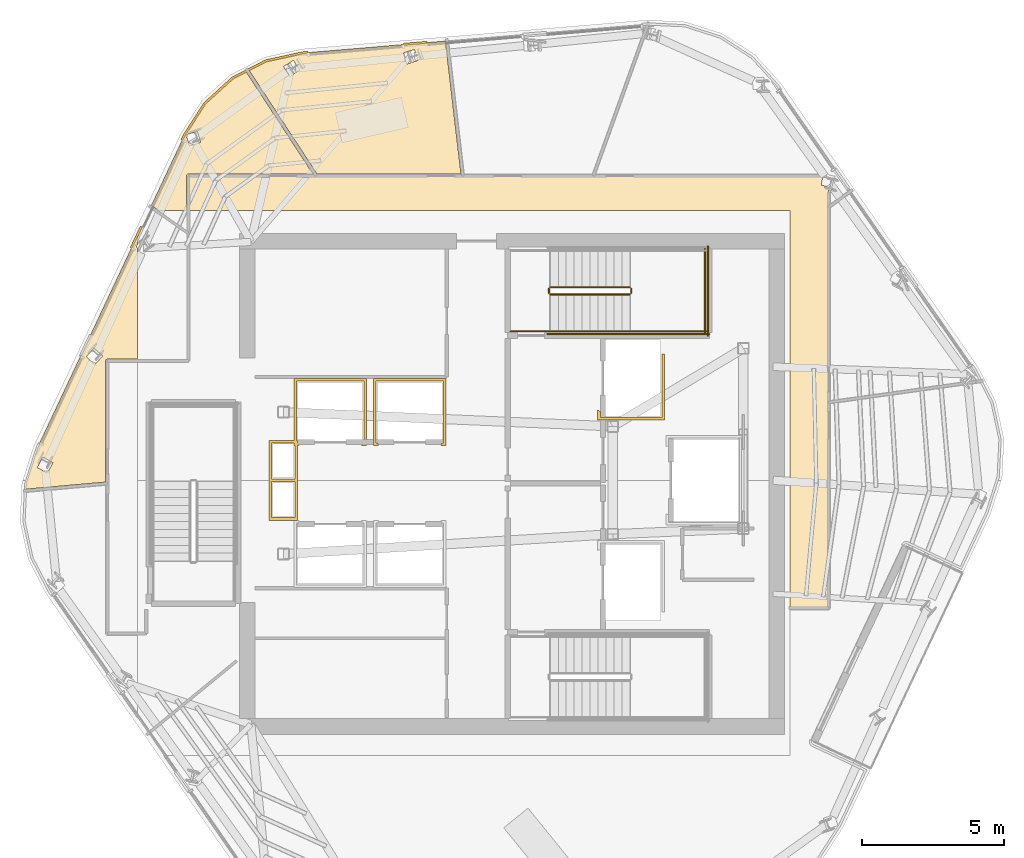
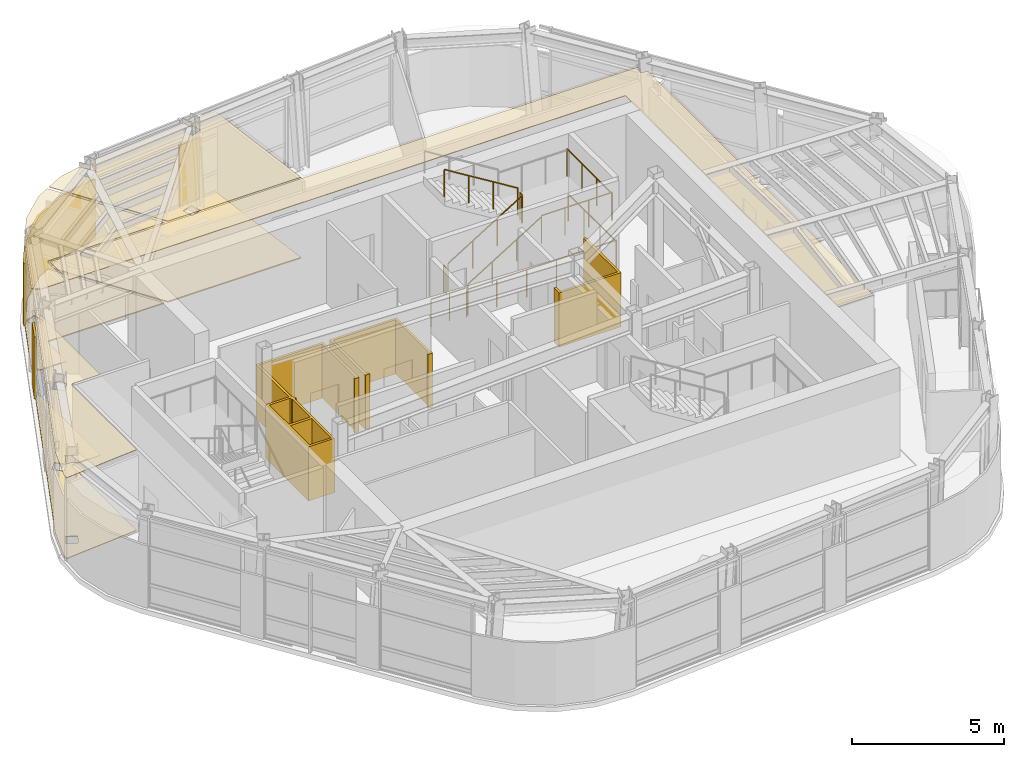
# One storey, part 12 of 14: 13 coverings, 10 railings.
"""IFC4 building model written with IfcOpenShell, lengths in metres."""

import ifcopenshell
import ifcopenshell.guid

model = None  # the IFC model being written
_history = None  # IfcOwnerHistory: only IFC2X3 demands one
_inside = {}  # id of a spatial element -> (the spatial element, [elements in it])
_under = {}  # id of a project, library or spatial element -> (it, [spatial elements below it])
_declared = {}  # id of a project -> (the project, [libraries it declares])
_typed = {}  # id of a type object -> (the type object, [elements of that type])
_made_of = {}  # id of a material, layer set ... -> (it, [elements and type objects made of it])


def new_model(schema):
    """Start an empty IFC model of exactly this schema.

    Asked for "IFC4X3", IfcOpenShell would pick the latest addendum, in which some entities
    have other attributes; the version numbers below select the first issue.
    IFC2X3 requires an IfcOwnerHistory on every rooted entity: one is made here for all.
    """
    global model, _history
    if schema == "IFC4X3":
        model = ifcopenshell.file(schema_version=(4, 3, 0, 0))
    else:
        model = ifcopenshell.file(schema=schema)
    _inside.clear()
    _under.clear()
    _declared.clear()
    _typed.clear()
    _made_of.clear()
    _history = None
    if model.schema == "IFC2X3":
        org = make("IfcOrganization", Name="unknown")
        user = make(
            "IfcPersonAndOrganization",
            ThePerson=make("IfcPerson", FamilyName="unknown"),
            TheOrganization=org,
        )
        app = make(
            "IfcApplication",
            ApplicationDeveloper=org,
            Version="unknown",
            ApplicationFullName="unknown",
            ApplicationIdentifier="unknown",
        )
        _history = make(
            "IfcOwnerHistory",
            OwningUser=user,
            OwningApplication=app,
            ChangeAction="ADDED",
            CreationDate=0,
        )
    return model


def make(cls, **values):
    """One entity of the class cls with the attributes given. An attribute that is None is left unset."""
    return model.create_entity(
        cls, **{name: value for name, value in values.items() if value is not None}
    )


def rooted(cls, **values):
    """An entity with a GlobalId (a new one), such as an element, a storey or a relation."""
    return make(cls, GlobalId=ifcopenshell.guid.new(), OwnerHistory=_history, **values)


def si_unit(unit_type, name, prefix=None):
    """IfcSIUnit, for example si_unit("LENGTHUNIT", "METRE", prefix="MILLI")."""
    return make("IfcSIUnit", UnitType=unit_type, Prefix=prefix, Name=name)


def assignment(units):
    """IfcUnitAssignment: the units of a project."""
    return None if units is None else make("IfcUnitAssignment", Units=units)


def point(xyz):
    """IfcCartesianPoint."""
    return None if xyz is None else make("IfcCartesianPoint", Coordinates=xyz)


def direction(xyz):
    """IfcDirection."""
    return None if xyz is None else make("IfcDirection", DirectionRatios=xyz)


def frame(location, z_axis=None, x_axis=None):
    """IfcAxis2Placement3D, a coordinate frame: its origin and axes. An axis left out is left unset."""
    return make(
        "IfcAxis2Placement3D",
        Location=point(location),
        Axis=direction(z_axis),
        RefDirection=direction(x_axis),
    )


def frame_2d(location, x_axis=None):
    """IfcAxis2Placement2D, a coordinate frame in the plane: its origin and x axis."""
    return make(
        "IfcAxis2Placement2D", Location=point(location), RefDirection=direction(x_axis)
    )


def origin():
    """The frame at (0, 0, 0) with its axes left unset."""
    return frame((0.0, 0.0, 0.0))


def origin_2d():
    """The frame at (0, 0) in the plane with its x axis left unset."""
    return frame_2d((0.0, 0.0))


def place(relative_to, where):
    """IfcLocalPlacement: puts the frame where relative to a parent placement (None: the world)."""
    return make(
        "IfcLocalPlacement", PlacementRelTo=relative_to, RelativePlacement=where
    )


def context(
    kind, dimensions, precision=None, world=None, true_north=None, identifier=None
):
    """IfcGeometricRepresentationContext, for example the 3D "Model" context."""
    return make(
        "IfcGeometricRepresentationContext",
        ContextIdentifier=identifier,
        ContextType=kind,
        CoordinateSpaceDimension=dimensions,
        Precision=precision,
        WorldCoordinateSystem=world,
        TrueNorth=true_north,
    )


def subcontext(parent, identifier, kind, view, scale=None):
    """IfcGeometricRepresentationSubContext, for example "Body" below "Model"."""
    return make(
        "IfcGeometricRepresentationSubContext",
        ContextIdentifier=identifier,
        ContextType=kind,
        ParentContext=parent,
        TargetScale=scale,
        TargetView=view,
    )


def project(units=None, contexts=None):
    """IfcProject with its units and contexts."""
    return rooted(
        "IfcProject",
        Name="project",
        RepresentationContexts=contexts,
        UnitsInContext=assignment(units),
    )


def spatial(cls, under=None, at=None, **own):
    """A site, building, storey or space (cls), placed at a placement, below another one or the project."""
    s = rooted(cls, ObjectPlacement=at, **own)
    if under is not None:
        _under.setdefault(under.id(), (under, []))[1].append(s)
    return s


def polyline(points):
    """IfcPolyline through the points."""
    return make("IfcPolyline", Points=[point(p) for p in points])


def profile(cls, at=None, kind="AREA", **sizes):
    """A parametric profile (cls). Its sizes go by their IFC names, for example OverallWidth=200.0."""
    return make(cls, ProfileType=kind, Position=at, **sizes)


def circle(**sizes):
    """IfcCircleProfileDef."""
    return profile("IfcCircleProfileDef", **sizes)


def outline(outer, holes=None, kind="AREA"):
    """IfcArbitraryClosedProfileDef: a profile drawn as a closed curve; with holes, ...WithVoids."""
    if holes is None:
        return make("IfcArbitraryClosedProfileDef", ProfileType=kind, OuterCurve=outer)
    return make(
        "IfcArbitraryProfileDefWithVoids",
        ProfileType=kind,
        OuterCurve=outer,
        InnerCurves=holes,
    )


def extrude(swept, where, along, depth):
    """IfcExtrudedAreaSolid: the profile swept, set in the frame where, extruded along a direction by depth."""
    return make(
        "IfcExtrudedAreaSolid",
        SweptArea=swept,
        Position=where,
        ExtrudedDirection=direction(along),
        Depth=depth,
    )


def shape(context_of_items, identifier, shape_type, items):
    """IfcShapeRepresentation: the items that make up one representation, for example the "Body"."""
    return make(
        "IfcShapeRepresentation",
        ContextOfItems=context_of_items,
        RepresentationIdentifier=identifier,
        RepresentationType=shape_type,
        Items=items,
    )


def material(Name=None, Category=None):
    """IfcMaterial."""
    return make("IfcMaterial", Name=Name, Category=Category)


def layer(
    of_material, thickness, ventilated=None, Name=None, Category=None, Priority=None
):
    """IfcMaterialLayer: one layer of a wall or slab, of a material (None: an air gap)."""
    return make(
        "IfcMaterialLayer",
        Material=of_material,
        LayerThickness=thickness,
        IsVentilated=ventilated,
        Name=Name,
        Category=Category,
        Priority=Priority,
    )


def layer_set(layers, Name=None):
    """IfcMaterialLayerSet."""
    return make("IfcMaterialLayerSet", MaterialLayers=layers, LayerSetName=Name)


def made_of(thing, what):
    """Note that an element or type object is made of a material, layer set ...; save() writes the relation."""
    if what is not None:
        _made_of.setdefault(what.id(), (what, []))[1].append(thing)
    return thing


def type_object(cls, material=None, **own):
    """A type object (cls), such as IfcWallType, which elements share."""
    return made_of(rooted(cls, **own), material)


def element(
    cls,
    number,
    at=None,
    inside=None,
    cuts=None,
    type_object=None,
    material=None,
    context=None,
    identifier="Body",
    shape_type=None,
    held_by="IfcProductDefinitionShape",
    body=None,
    shapes=None,
    **own,
):
    """One element of the class cls, such as IfcWall. Its Tag is "e" and its number.

    at: its placement. inside: the storey or other place that contains it. cuts: it is an
    opening in that element (IfcRelVoidsElement). A single representation is given by context,
    identifier, shape_type and body (its items); several are given by shapes. held_by: the class
    of the entity that holds the representations. save() writes the other relations.
    """
    e = rooted(cls, Tag="e%d" % number, ObjectPlacement=at, **own)
    if body is not None:
        shapes = [shape(context, identifier, shape_type, body)]
    if shapes is not None:
        e.Representation = make(held_by, Representations=shapes)
    if inside is not None:
        _inside.setdefault(inside.id(), (inside, []))[1].append(e)
    if cuts is not None:
        rooted(
            "IfcRelVoidsElement", RelatingBuildingElement=cuts, RelatedOpeningElement=e
        )
    if type_object is not None:
        _typed.setdefault(type_object.id(), (type_object, []))[1].append(e)
    return made_of(e, material)


def aggregate(whole, parts):
    """IfcRelAggregates: a whole, such as a stair, and the parts it consists of."""
    return rooted("IfcRelAggregates", RelatingObject=whole, RelatedObjects=parts)


def save(model, path):
    """Write the relations noted so far, then the file.

    IfcRelAggregates (storeys below a building ...), IfcRelContainedInSpatialStructure (elements
    in a storey), IfcRelDefinesByType, IfcRelAssociatesMaterial and IfcRelDeclares: one each for
    every whole, place, type object, material and project.
    """
    for whole, parts in _under.values():
        aggregate(whole, parts)
    for where, things in _inside.values():
        rooted(
            "IfcRelContainedInSpatialStructure",
            RelatedElements=things,
            RelatingStructure=where,
        )
    for kind, things in _typed.values():
        rooted("IfcRelDefinesByType", RelatedObjects=things, RelatingType=kind)
    for what, things in _made_of.values():
        rooted("IfcRelAssociatesMaterial", RelatedObjects=things, RelatingMaterial=what)
    for by, libraries in _declared.values():
        rooted("IfcRelDeclares", RelatingContext=by, RelatedDefinitions=libraries)
    model.write(path)


model = new_model("IFC4")

# Units and contexts
model_context = context("Model", 3, precision=1e-05, world=origin(), true_north=direction((0.0, 1.0)))
body_context = subcontext(model_context, "Body", "Model", "MODEL_VIEW")
ifc_project = project(units=[si_unit("LENGTHUNIT", "METRE"), si_unit("AREAUNIT", "SQUARE_METRE"), si_unit("VOLUMEUNIT", "CUBIC_METRE"), si_unit("PLANEANGLEUNIT", "RADIAN"), si_unit("MASSUNIT", "GRAM", prefix="KILO")], contexts=[model_context])

# Site, building, storey
site_placement = place(None, origin())
site = spatial("IfcSite", under=ifc_project, at=site_placement, CompositionType="ELEMENT")
building_placement = place(site_placement, origin())
building = spatial("IfcBuilding", under=site, at=building_placement, Name="Valkerne Bourse Tower", CompositionType="ELEMENT")
storey_placement = place(building_placement, frame((0.0, 0.0, 304.0)))
storey = spatial("IfcBuildingStorey", under=building, at=storey_placement, Name="L77", CompositionType="ELEMENT", Elevation=304.0)

# Coverings
ifc_material_1 = material(Name="Mineral Fiber Acoustic Ceiling Tile", Category="acoustic")
ifc_layer_1 = layer(ifc_material_1, 0.02490234375)
ifc_layer_set_1 = layer_set([ifc_layer_1], Name="Mineral Fiber Acoustic Ceiling Tile")
covering_type_1 = type_object("IfcCoveringType", Name="COV-CEIL-ACT", PredefinedType="CEILING", material=ifc_layer_set_1)
covering_1_placement = place(storey_placement, frame((0.0, 0.0, 3.25)))
element("IfcCovering", 1, at=covering_1_placement, inside=storey, type_object=covering_type_1, Name="L77 Suspended Ceiling 03", PredefinedType="CEILING", context=body_context, shape_type="SweptSolid", body=[
    extrude(outline(polyline([(33.60009765625, 35.62890625), (33.60009765625, 35.296875), (33.552001953125, 35.2666015625), (33.55078125, 35.2646484375), (33.60009765625, 35.186279296875), (33.60009765625, 31.26904296875), (32.549560546875, 31.26904296875), (32.514892578125, 31.259521484375), (32.490966796875, 31.23583984375), (32.48095703125, 31.20068359375), (32.48095703125, 26.9375), (29.66357421875, 26.686279296875), (29.67236328125, 26.87451171875), (30.076416015625, 28.140869140625), (33.60009765625, 35.62890625)]), holes=[polyline([(30.6240234375, 27.62158203125), (30.2626953125, 27.80810546875), (30.07470703125, 27.445556640625), (30.074462890625, 27.443115234375), (30.435791015625, 27.256591796875), (30.623779296875, 27.619140625), (30.6240234375, 27.62158203125)]), polyline([(32.37939453125, 31.3837890625), (32.0771484375, 31.656005859375), (31.80322265625, 31.352783203125), (31.802490234375, 31.350830078125), (32.104736328125, 31.07861328125), (32.378662109375, 31.381591796875), (32.37939453125, 31.3837890625)])]), origin(), (0.0, 0.0, 1.0), 0.02490234375),
])
covering_2_placement = place(storey_placement, frame((0.0, 0.0, 3.25)))
element("IfcCovering", 2, at=covering_2_placement, inside=storey, type_object=covering_type_1, Name="L77 Suspended Ceiling 06", PredefinedType="CEILING", context=body_context, shape_type="SweptSolid", body=[
    extrude(outline(polyline([(44.451904296875, 42.475341796875), (45.00244140625, 37.7890625), (39.93017578125, 37.7890625), (37.527587890625, 41.460693359375), (38.127685546875, 41.770263671875), (39.42626953125, 42.053466796875), (44.451904296875, 42.475341796875)]), holes=[polyline([(38.97607421875, 41.231689453125), (39.31787109375, 41.45068359375), (39.097412109375, 41.79541015625), (39.09521484375, 41.794189453125), (38.75341796875, 41.575439453125), (38.97412109375, 41.230712890625), (38.97607421875, 41.231689453125)]), polyline([(43.48486328125, 41.790283203125), (43.35888671875, 42.1796875), (43.356689453125, 42.17919921875), (42.970458984375, 42.053955078125), (43.096435546875, 41.66455078125), (43.0986328125, 41.6650390625), (43.48486328125, 41.790283203125)])]), origin(), (0.0, 0.0, 1.0), 0.02490234375),
])
covering_3_placement = place(storey_placement, frame((0.0, 0.0, 3.25)))
element("IfcCovering", 3, at=covering_3_placement, inside=storey, type_object=covering_type_1, Name="L77 Suspended Ceiling 09", PredefinedType="CEILING", context=body_context, shape_type="SweptSolid", body=[
    extrude(outline(polyline([(36.955078125, 41.1650390625), (37.422119140625, 41.40625), (39.789306640625, 37.7890625), (35.399658203125, 37.7890625), (35.370849609375, 37.78271484375), (35.341064453125, 37.756103515625), (35.3310546875, 37.720703125), (35.3310546875, 36.5), (34.360107421875, 36.5), (34.096923828125, 36.68505859375), (35.260986328125, 39.158447265625), (35.97900390625, 40.277099609375), (36.955078125, 41.1650390625)]), holes=[polyline([(35.82958984375, 38.90380859375), (35.831298828125, 38.905517578125), (35.708740234375, 39.293212890625), (35.319091796875, 39.170654296875), (35.3173828125, 39.1689453125), (35.43994140625, 38.78125), (35.82958984375, 38.90380859375)])]), origin(), (0.0, 0.0, 1.0), 0.02490234375),
])
ifc_material_2 = material(Name="Bronze Anodised Aluminium AA 6063-T6", Category="aluminium")
ifc_layer_2 = layer(ifc_material_2, 0.030029296875)
ifc_layer_set_2 = layer_set([ifc_layer_2], Name="Bronze Anodised Aluminium AA 6063-T6")
covering_type_2 = type_object("IfcCoveringType", Name="COV-CEIL-METAL", PredefinedType="CEILING", material=ifc_layer_set_2)
covering_4_placement = place(storey_placement, frame((0.0, 0.0, 3.25)))
element("IfcCovering", 4, at=covering_4_placement, inside=storey, type_object=covering_type_2, Name="L77 Suspended Ceiling 01", PredefinedType="CEILING", context=body_context, shape_type="SweptSolid", body=[
    extrude(outline(polyline([(35.404052734375, 37.716064453125), (57.761474609375, 37.716064453125), (57.693359375, 37.3994140625), (57.695068359375, 37.397705078125), (57.946044921875, 37.34423828125), (57.946044921875, 22.50390625), (56.60009765625, 22.50390625), (56.60009765625, 36.5), (35.404052734375, 36.5), (35.404052734375, 37.716064453125)])), origin(), (0.0, 0.0, 1.0), 0.02490234375),
])
ifc_layer_3 = layer(ifc_material_2, 0.06005859375)
ifc_layer_set_3 = layer_set([ifc_layer_3], Name="Bronze Anodised Aluminium AA 6063-T6")
covering_type_3 = type_object("IfcCoveringType", Name="COV-CRN-ALUM", PredefinedType="CLADDING", material=ifc_layer_set_3)
covering_5_placement = place(storey_placement, origin())
element("IfcCovering", 5, at=covering_5_placement, inside=storey, type_object=covering_type_3, Name="L77 Wind-Shaped Corner Aluminium Cladding 09", PredefinedType="CLADDING", context=body_context, shape_type="SweptSolid", body=[
    extrude(outline(polyline([(33.704345703125, 35.9541015625), (33.77685546875, 35.919921875), (33.419189453125, 35.159912109375), (33.3466796875, 35.194091796875), (33.704345703125, 35.9541015625)])), origin(), (0.0, 0.0, 1.0), 2.5),
])
covering_6_placement = place(storey_placement, origin())
element("IfcCovering", 6, at=covering_6_placement, inside=storey, type_object=covering_type_3, Name="L77 Wind-Shaped Corner Aluminium Cladding 10", PredefinedType="CLADDING", context=body_context, shape_type="SweptSolid", body=[
    extrude(outline(polyline([(35.222412109375, 39.179931640625), (35.945068359375, 40.3056640625), (36.9296875, 41.201416015625), (38.112548828125, 41.81201171875), (39.419677734375, 42.096923828125), (39.6123046875, 42.11328125), (39.618896484375, 42.033447265625), (39.431396484375, 42.017578125), (38.139892578125, 41.736083984375), (36.9755859375, 41.13525390625), (36.0068359375, 40.253662109375), (35.29248046875, 39.14111328125), (35.21240234375, 38.970947265625), (35.14013671875, 39.0048828125), (35.222412109375, 39.179931640625)])), origin(), (0.0, 0.0, 1.0), 2.5),
])
covering_7_placement = place(storey_placement, origin())
element("IfcCovering", 7, at=covering_7_placement, inside=storey, type_object=covering_type_3, Name="L77 Wind-Shaped Corner Aluminium Cladding 11", PredefinedType="CLADDING", context=body_context, shape_type="SweptSolid", body=[
    extrude(outline(polyline([(43.809326171875, 42.465576171875), (43.816162109375, 42.385986328125), (42.97900390625, 42.315673828125), (42.972412109375, 42.395263671875), (43.809326171875, 42.465576171875)])), origin(), (0.0, 0.0, 1.0), 2.5),
])
ifc_material_3 = material(Name="Galvanised Painted Steel", Category="steel")
ifc_layer_4 = layer(ifc_material_3, 0.044921875)
ifc_layer_set_4 = layer_set([ifc_layer_4], Name="Galvanised Painted Steel")
covering_type_4 = type_object("IfcCoveringType", Name="COV-FLR-RAF", PredefinedType="FLOORING", material=ifc_layer_set_4)
covering_8_placement = place(storey_placement, origin())
element("IfcCovering", 8, at=covering_8_placement, inside=storey, type_object=covering_type_4, Name="L77 Floor Finish 06", PredefinedType="FLOORING", context=body_context, shape_type="SweptSolid", body=[
    extrude(outline(polyline([(44.451904296875, 42.475341796875), (45.00244140625, 37.7890625), (39.93017578125, 37.7890625), (37.527587890625, 41.460693359375), (38.127685546875, 41.770263671875), (39.42626953125, 42.053466796875), (44.451904296875, 42.475341796875)]), holes=[polyline([(38.97607421875, 41.231689453125), (39.31787109375, 41.45068359375), (39.097412109375, 41.79541015625), (39.09521484375, 41.794189453125), (38.75341796875, 41.575439453125), (38.97412109375, 41.230712890625), (38.97607421875, 41.231689453125)]), polyline([(43.48486328125, 41.790283203125), (43.35888671875, 42.1796875), (43.356689453125, 42.17919921875), (42.970458984375, 42.053955078125), (43.096435546875, 41.66455078125), (43.0986328125, 41.6650390625), (43.48486328125, 41.790283203125)])]), origin(), (0.0, 0.0, 1.0), 0.044921875),
])
covering_9_placement = place(storey_placement, origin())
element("IfcCovering", 9, at=covering_9_placement, inside=storey, type_object=covering_type_4, Name="L77 Floor Finish 09", PredefinedType="FLOORING", context=body_context, shape_type="SweptSolid", body=[
    extrude(outline(polyline([(36.955078125, 41.1650390625), (37.422119140625, 41.40625), (39.789306640625, 37.7890625), (35.399658203125, 37.7890625), (35.370849609375, 37.78271484375), (35.341064453125, 37.756103515625), (35.3310546875, 37.720703125), (35.3310546875, 36.5), (34.360107421875, 36.5), (34.096923828125, 36.68505859375), (35.260986328125, 39.158447265625), (35.97900390625, 40.277099609375), (36.955078125, 41.1650390625)]), holes=[polyline([(35.82958984375, 38.90380859375), (35.831298828125, 38.905517578125), (35.708740234375, 39.293212890625), (35.319091796875, 39.170654296875), (35.3173828125, 39.1689453125), (35.43994140625, 38.78125), (35.82958984375, 38.90380859375)])]), origin(), (0.0, 0.0, 1.0), 0.044921875),
])
ifc_material_4 = material(Name="Polished Granite Stone", Category="masonry")
ifc_layer_5 = layer(ifc_material_4, 0.030029296875)
ifc_layer_set_5 = layer_set([ifc_layer_5], Name="Polished Granite Stone")
covering_type_5 = type_object("IfcCoveringType", Name="COV-FLR-TERRAZZO", PredefinedType="FLOORING", material=ifc_layer_set_5)
covering_10_placement = place(storey_placement, origin())
element("IfcCovering", 10, at=covering_10_placement, inside=storey, type_object=covering_type_5, Name="L77 Floor Finish 03", PredefinedType="FLOORING", context=body_context, shape_type="SweptSolid", body=[
    extrude(outline(polyline([(33.60009765625, 35.62890625), (33.60009765625, 35.296875), (33.552001953125, 35.2666015625), (33.55078125, 35.2646484375), (33.60009765625, 35.186279296875), (33.60009765625, 31.26904296875), (32.549560546875, 31.26904296875), (32.514892578125, 31.259521484375), (32.490966796875, 31.23583984375), (32.48095703125, 31.20068359375), (32.48095703125, 26.9375), (29.66357421875, 26.686279296875), (29.67236328125, 26.87451171875), (30.076416015625, 28.140869140625), (33.60009765625, 35.62890625)]), holes=[polyline([(30.6240234375, 27.62158203125), (30.2626953125, 27.80810546875), (30.07470703125, 27.445556640625), (30.074462890625, 27.443115234375), (30.435791015625, 27.256591796875), (30.623779296875, 27.619140625), (30.6240234375, 27.62158203125)]), polyline([(32.37939453125, 31.3837890625), (32.0771484375, 31.656005859375), (31.80322265625, 31.352783203125), (31.802490234375, 31.350830078125), (32.104736328125, 31.07861328125), (32.378662109375, 31.381591796875), (32.37939453125, 31.3837890625)])]), origin(), (0.0, 0.0, 1.0), 0.030029296875),
])
ifc_material_5 = material(Name="Gypsum Shaftwall Liner Board", Category="gypsum")
ifc_layer_6 = layer(ifc_material_5, 0.080078125)
ifc_layer_set_6 = layer_set([ifc_layer_6], Name="Gypsum Shaftwall Liner Board")
covering_type_6 = type_object("IfcCoveringType", Name="COV-SHF-CLAD", PredefinedType="CLADDING", material=ifc_layer_set_6)
covering_11_placement = place(storey_placement, origin())
element("IfcCovering", 11, at=covering_11_placement, inside=storey, type_object=covering_type_6, Name="L77 Hoistway & Riser Shaftwall Liner 04", PredefinedType="CLADDING", context=body_context, shape_type="SweptSolid", body=[
    extrude(outline(polyline([(38.239990234375, 27.0400390625), (38.239990234375, 28.409912109375), (39.1201171875, 28.409912109375), (39.1201171875, 30.580078125), (41.679931640625, 30.580078125), (41.679931640625, 28.219970703125), (41.500732421875, 28.219970703125), (41.511474609375, 28.26220703125), (41.517822265625, 28.305908203125), (41.51806640625, 28.31005859375), (41.590087890625, 28.31005859375), (41.590087890625, 30.489990234375), (39.2099609375, 30.489990234375), (39.2099609375, 28.409912109375), (39.239990234375, 28.409912109375), (39.239990234375, 28.31005859375), (39.281982421875, 28.31005859375), (39.2822265625, 28.305908203125), (39.28857421875, 28.26220703125), (39.29931640625, 28.219970703125), (39.239990234375, 28.219970703125), (39.239990234375, 27.0400390625), (39.239990234375, 26.9599609375), (39.239990234375, 25.590087890625), (38.239990234375, 25.590087890625), (38.239990234375, 26.9599609375), (38.239990234375, 27.0400390625)]), holes=[polyline([(39.14990234375, 26.949951171875), (38.330078125, 26.949951171875), (38.330078125, 25.679931640625), (39.14990234375, 25.679931640625), (39.14990234375, 26.949951171875)]), polyline([(39.14990234375, 28.219970703125), (39.1201171875, 28.219970703125), (39.1201171875, 28.320068359375), (38.330078125, 28.320068359375), (38.330078125, 27.050048828125), (39.14990234375, 27.050048828125), (39.14990234375, 28.219970703125)])]), origin(), (0.0, 0.0, 1.0), 2.179931640625),
])
covering_12_placement = place(storey_placement, origin())
element("IfcCovering", 12, at=covering_12_placement, inside=storey, type_object=covering_type_6, Name="L77 Hoistway & Riser Shaftwall Liner 06", PredefinedType="CLADDING", context=body_context, shape_type="SweptSolid", body=[
    extrude(outline(polyline([(44.47998046875, 28.219970703125), (44.30078125, 28.219970703125), (44.311279296875, 28.26220703125), (44.31787109375, 28.305908203125), (44.318115234375, 28.31005859375), (44.389892578125, 28.31005859375), (44.389892578125, 30.489990234375), (42.010009765625, 30.489990234375), (42.010009765625, 28.31005859375), (42.08203125, 28.31005859375), (42.082275390625, 28.305908203125), (42.088623046875, 28.26220703125), (42.09912109375, 28.219970703125), (41.919921875, 28.219970703125), (41.919921875, 30.580078125), (44.47998046875, 30.580078125), (44.47998046875, 28.219970703125)])), origin(), (0.0, 0.0, 1.0), 2.179931640625),
])
covering_13_placement = place(storey_placement, origin())
element("IfcCovering", 13, at=covering_13_placement, inside=storey, type_object=covering_type_6, Name="L77 Hoistway & Riser Shaftwall Liner 07", PredefinedType="CLADDING", context=body_context, shape_type="SweptSolid", body=[
    extrude(outline(polyline([(49.820068359375, 29.1201171875), (49.820068359375, 29.468017578125), (49.827880859375, 29.46435546875), (49.869384765625, 29.449462890625), (49.909912109375, 29.439208984375), (49.909912109375, 29.2099609375), (52.090087890625, 29.2099609375), (52.090087890625, 31.449951171875), (52.179931640625, 31.449951171875), (52.179931640625, 29.1201171875), (49.820068359375, 29.1201171875)])), origin(), (0.0, 0.0, 1.0), 2.179931640625),
])

# Railings
railing_type_1 = type_object("IfcRailingType", Name="RLG-ST-GUARD-1120", PredefinedType="GUARDRAIL", material=ifc_material_3)
railing_1_placement = place(storey_placement, frame((48.14990234375, 33.550048828125, 0.172607421875)))
element("IfcRailing", 14, at=railing_1_placement, inside=storey, type_object=railing_type_1, Name="L77 ST-2 stair guard 1", PredefinedType="GUARDRAIL", context=body_context, shape_type="SweptSolid", body=[
    extrude(circle(Radius=0.02392578125, at=origin_2d()), frame((0.0, 0.0, 1.09619140625), z_axis=(0.851089632645, 0.0, 0.525020415988), x_axis=(0.0, 1.0, 0.0)), (0.0, 0.0, 1.0), 3.2900390625),
    extrude(circle(Radius=0.02099609375, at=origin_2d()), origin(), (0.0, 0.0, 1.0), 1.072021484375),
    extrude(circle(Radius=0.02099609375, at=origin_2d()), frame((0.933349609375, 0.0, 0.57568359375)), (0.0, 0.0, 1.0), 1.072021484375),
    extrude(circle(Radius=0.02099609375, at=origin_2d()), frame((1.86669921875, 0.0, 1.151611328125)), (0.0, 0.0, 1.0), 1.072021484375),
    extrude(circle(Radius=0.02099609375, at=origin_2d()), frame((2.800048828125, 0.0, 1.727294921875)), (0.0, 0.0, 1.0), 1.072021484375),
])
railing_2_placement = place(storey_placement, frame((51.0, 33.60009765625, 1.89990234375)))
element("IfcRailing", 15, at=railing_2_placement, inside=storey, type_object=railing_type_1, Name="L77 ST-2 stair guard 2", PredefinedType="GUARDRAIL", context=body_context, shape_type="SweptSolid", body=[
    extrude(circle(Radius=0.02392578125, at=origin_2d()), frame((0.0, 0.0, 1.09619140625), z_axis=(0.0, 1.0, 0.0), x_axis=(-1.0, 0.0, 0.0)), (0.0, 0.0, 1.0), 0.14990234375),
    extrude(circle(Radius=0.02099609375, at=origin_2d()), origin(), (0.0, 0.0, 1.0), 1.072021484375),
    extrude(circle(Radius=0.02099609375, at=origin_2d()), frame((0.0, 0.14990234375, 0.0)), (0.0, 0.0, 1.0), 1.072021484375),
])
railing_3_placement = place(storey_placement, frame((50.949951171875, 32.25, 1.89990234375)))
element("IfcRailing", 16, at=railing_3_placement, inside=storey, type_object=railing_type_1, Name="L77 ST-2 stair guard 3", PredefinedType="GUARDRAIL", context=body_context, shape_type="SweptSolid", body=[
    extrude(circle(Radius=0.02392578125, at=origin_2d()), frame((0.0, 0.0, 1.09619140625), z_axis=(1.0, 0.0, 0.0), x_axis=(0.0, 1.0, 0.0)), (0.0, 0.0, 1.0), 2.699951171875),
    extrude(circle(Radius=0.02099609375, at=origin_2d()), origin(), (0.0, 0.0, 1.0), 1.072021484375),
    extrude(circle(Radius=0.02099609375, at=origin_2d()), frame((0.89990234375, 0.0, 0.0)), (0.0, 0.0, 1.0), 1.072021484375),
    extrude(circle(Radius=0.02099609375, at=origin_2d()), frame((1.800048828125, 0.0, 0.0)), (0.0, 0.0, 1.0), 1.072021484375),
    extrude(circle(Radius=0.02099609375, at=origin_2d()), frame((2.699951171875, 0.0, 0.0)), (0.0, 0.0, 1.0), 1.072021484375),
])
railing_4_placement = place(storey_placement, frame((53.60009765625, 32.199951171875, 1.89990234375)))
element("IfcRailing", 17, at=railing_4_placement, inside=storey, type_object=railing_type_1, Name="L77 ST-2 stair guard 5", PredefinedType="GUARDRAIL", context=body_context, shape_type="SweptSolid", body=[
    extrude(circle(Radius=0.02392578125, at=origin_2d()), frame((0.0, 0.0, 1.09619140625), z_axis=(0.0, 1.0, 0.0), x_axis=(-1.0, 0.0, 0.0)), (0.0, 0.0, 1.0), 2.949951171875),
    extrude(circle(Radius=0.02099609375, at=origin_2d()), origin(), (0.0, 0.0, 1.0), 1.072021484375),
    extrude(circle(Radius=0.02099609375, at=origin_2d()), frame((0.0, 0.9833984375, 0.0)), (0.0, 0.0, 1.0), 1.072021484375),
    extrude(circle(Radius=0.02099609375, at=origin_2d()), frame((0.0, 1.966552734375, 0.0)), (0.0, 0.0, 1.0), 1.072021484375),
    extrude(circle(Radius=0.02099609375, at=origin_2d()), frame((0.0, 2.949951171875, 0.0)), (0.0, 0.0, 1.0), 1.072021484375),
])
railing_5_placement = place(storey_placement, frame((50.949951171875, 33.800048828125, 2.07275390625)))
element("IfcRailing", 18, at=railing_5_placement, inside=storey, type_object=railing_type_1, Name="L77 ST-2 stair guard 6", PredefinedType="GUARDRAIL", context=body_context, shape_type="SweptSolid", body=[
    extrude(circle(Radius=0.02392578125, at=origin_2d()), frame((0.0, 0.0, 1.09619140625), z_axis=(-0.851089632645, 0.0, 0.525020415988), x_axis=(0.0, -1.0, 0.0)), (0.0, 0.0, 1.0), 3.2900390625),
    extrude(circle(Radius=0.02099609375, at=origin_2d()), origin(), (0.0, 0.0, 1.0), 1.072021484375),
    extrude(circle(Radius=0.02099609375, at=origin_2d()), frame((-0.933349609375, 0.0, 0.57568359375)), (0.0, 0.0, 1.0), 1.072021484375),
    extrude(circle(Radius=0.02099609375, at=origin_2d()), frame((-1.86669921875, 0.0, 1.151611328125)), (0.0, 0.0, 1.0), 1.072021484375),
    extrude(circle(Radius=0.02099609375, at=origin_2d()), frame((-2.800048828125, 0.0, 1.727294921875)), (0.0, 0.0, 1.0), 1.072021484375),
])
railing_6_placement = place(storey_placement, frame((48.10009765625, 33.60009765625, 0.0)))
element("IfcRailing", 19, at=railing_6_placement, inside=storey, type_object=railing_type_1, Name="L77 ST-2 stair guard 7", PredefinedType="GUARDRAIL", context=body_context, shape_type="SweptSolid", body=[
    extrude(circle(Radius=0.02392578125, at=origin_2d()), frame((0.0, 0.0, 1.09619140625), z_axis=(0.0, 1.0, 0.0), x_axis=(-1.0, 0.0, 0.0)), (0.0, 0.0, 1.0), 0.14990234375),
    extrude(circle(Radius=0.02099609375, at=origin_2d()), origin(), (0.0, 0.0, 1.0), 1.072021484375),
    extrude(circle(Radius=0.02099609375, at=origin_2d()), frame((0.0, 0.14990234375, 0.0)), (0.0, 0.0, 1.0), 1.072021484375),
])
railing_7_placement = place(storey_placement, frame((46.75, 32.25, 0.0)))
element("IfcRailing", 20, at=railing_7_placement, inside=storey, type_object=railing_type_1, Name="L77 ST-2 stair guard 8", PredefinedType="GUARDRAIL", context=body_context, shape_type="SweptSolid", body=[
    extrude(circle(Radius=0.02392578125, at=origin_2d()), frame((0.0, 0.0, 1.09619140625), z_axis=(1.0, 0.0, 0.0), x_axis=(0.0, 1.0, 0.0)), (0.0, 0.0, 1.0), 1.39990234375),
    extrude(circle(Radius=0.02099609375, at=origin_2d()), origin(), (0.0, 0.0, 1.0), 1.072021484375),
    extrude(circle(Radius=0.02099609375, at=origin_2d()), frame((0.699951171875, 0.0, 0.0)), (0.0, 0.0, 1.0), 1.072021484375),
    extrude(circle(Radius=0.02099609375, at=origin_2d()), frame((1.39990234375, 0.0, 0.0)), (0.0, 0.0, 1.0), 1.072021484375),
])
railing_8_placement = place(storey_placement, frame((48.050048828125, 32.14990234375, 0.0)))
element("IfcRailing", 21, at=railing_8_placement, inside=storey, type_object=railing_type_1, Name="L77 ST-2 stair guard 10", PredefinedType="GUARDRAIL", context=body_context, shape_type="SweptSolid", body=[
    extrude(circle(Radius=0.02392578125, at=origin_2d()), frame((0.0, 0.0, 1.09619140625), z_axis=(1.0, 0.0, 0.0), x_axis=(0.0, 1.0, 0.0)), (0.0, 0.0, 1.0), 5.699951171875),
    extrude(circle(Radius=0.02099609375, at=origin_2d()), origin(), (0.0, 0.0, 1.0), 1.072021484375),
    extrude(circle(Radius=0.02099609375, at=origin_2d()), frame((1.139892578125, 0.0, 0.0)), (0.0, 0.0, 1.0), 1.072021484375),
    extrude(circle(Radius=0.02099609375, at=origin_2d()), frame((2.280029296875, 0.0, 0.0)), (0.0, 0.0, 1.0), 1.072021484375),
    extrude(circle(Radius=0.02099609375, at=origin_2d()), frame((3.419921875, 0.0, 0.0)), (0.0, 0.0, 1.0), 1.072021484375),
    extrude(circle(Radius=0.02099609375, at=origin_2d()), frame((4.56005859375, 0.0, 0.0)), (0.0, 0.0, 1.0), 1.072021484375),
    extrude(circle(Radius=0.02099609375, at=origin_2d()), frame((5.699951171875, 0.0, 0.0)), (0.0, 0.0, 1.0), 1.072021484375),
])
railing_9_placement = place(storey_placement, frame((53.699951171875, 32.10009765625, 0.0)))
element("IfcRailing", 22, at=railing_9_placement, inside=storey, type_object=railing_type_1, Name="L77 ST-2 stair guard 12", PredefinedType="GUARDRAIL", context=body_context, shape_type="SweptSolid", body=[
    extrude(circle(Radius=0.02392578125, at=origin_2d()), frame((0.0, 0.0, 1.09619140625), z_axis=(0.0, 1.0, 0.0), x_axis=(-1.0, 0.0, 0.0)), (0.0, 0.0, 1.0), 3.14990234375),
    extrude(circle(Radius=0.02099609375, at=origin_2d()), origin(), (0.0, 0.0, 1.0), 1.072021484375),
    extrude(circle(Radius=0.02099609375, at=origin_2d()), frame((0.0, 1.050048828125, 0.0)), (0.0, 0.0, 1.0), 1.072021484375),
    extrude(circle(Radius=0.02099609375, at=origin_2d()), frame((0.0, 2.099853515625, 0.0)), (0.0, 0.0, 1.0), 1.072021484375),
    extrude(circle(Radius=0.02099609375, at=origin_2d()), frame((0.0, 3.14990234375, 0.0)), (0.0, 0.0, 1.0), 1.072021484375),
])
ifc_material_6 = material(Name="Stainless Steel AISI 316", Category="steel")
railing_type_2 = type_object("IfcRailingType", Name="RLG-ST-HANDRAIL-900", PredefinedType="HANDRAIL", material=ifc_material_6)
railing_10_placement = place(storey_placement, frame((48.14990234375, 32.25, 0.345458984375)))
element("IfcRailing", 23, at=railing_10_placement, inside=storey, type_object=railing_type_2, Name="L77 ST-2 stair handrail 1", PredefinedType="HANDRAIL", context=body_context, shape_type="SweptSolid", body=[
    extrude(circle(Radius=0.02392578125, at=origin_2d()), frame((0.0, 0.0, 0.8759765625), z_axis=(0.851089632645, 0.0, 0.525020415988), x_axis=(0.0, 1.0, 0.0)), (0.0, 0.0, 1.0), 3.2900390625),
    extrude(circle(Radius=0.02099609375, at=origin_2d()), origin(), (0.0, 0.0, 1.0), 0.851806640625),
    extrude(circle(Radius=0.02099609375, at=origin_2d()), frame((0.933349609375, 0.0, 0.57568359375)), (0.0, 0.0, 1.0), 0.851806640625),
    extrude(circle(Radius=0.02099609375, at=origin_2d()), frame((1.86669921875, 0.0, 1.151611328125)), (0.0, 0.0, 1.0), 0.851806640625),
    extrude(circle(Radius=0.02099609375, at=origin_2d()), frame((2.800048828125, 0.0, 1.727294921875)), (0.0, 0.0, 1.0), 0.851806640625),
])

save(model, "model.ifc")
